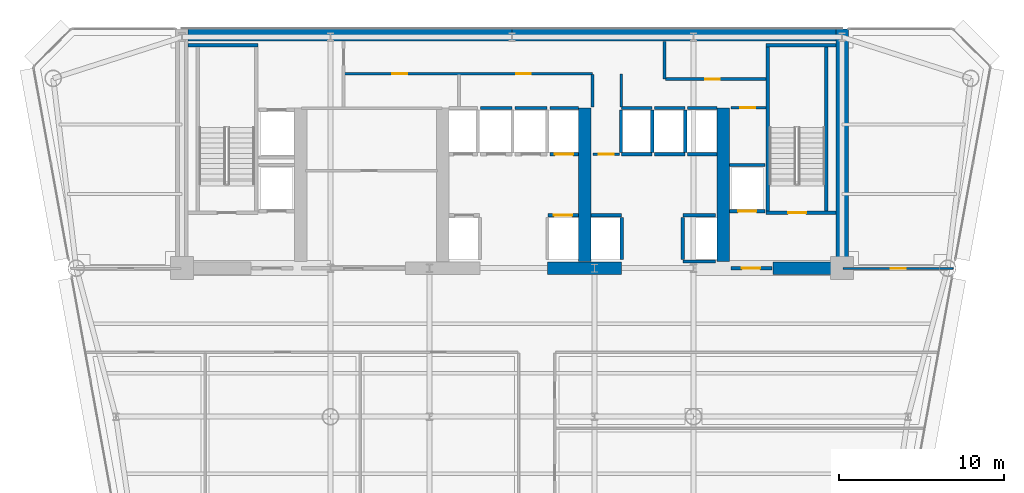
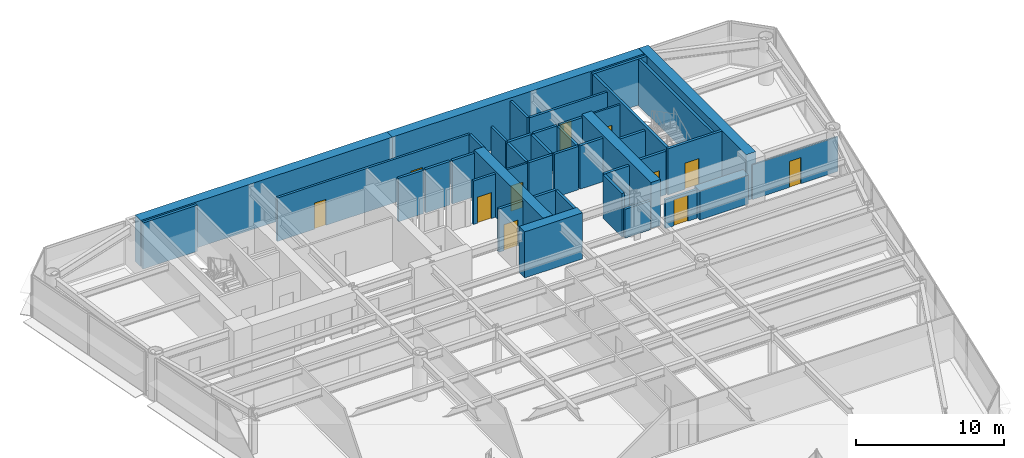
# One storey, part 9 of 14: 42 walls, 11 doors, 11 openings.
"""IFC4 building model written with IfcOpenShell, lengths in metres."""

from ifc_helpers import new_model, si_unit, direction, frame, frame_2d, origin, place, context, subcontext, project, spatial, rectangle, extrude, source, transform, mapped, material, layer, layer_set, type_object, element, fill, save


model = new_model("IFC4")

# Units and contexts
model_context = context("Model", 3, precision=1e-05, world=origin(), true_north=direction((0.0, 1.0)))
body_context = subcontext(model_context, "Body", "Model", "MODEL_VIEW")
ifc_project = project(units=[si_unit("LENGTHUNIT", "METRE"), si_unit("AREAUNIT", "SQUARE_METRE"), si_unit("VOLUMEUNIT", "CUBIC_METRE"), si_unit("PLANEANGLEUNIT", "RADIAN"), si_unit("MASSUNIT", "GRAM", prefix="KILO")], contexts=[model_context])

# Site, building, storey
site_placement = place(None, origin())
site = spatial("IfcSite", under=ifc_project, at=site_placement, CompositionType="ELEMENT")
building_placement = place(site_placement, origin())
building = spatial("IfcBuilding", under=site, at=building_placement, Name="Vaeldorn Concourse Tower", CompositionType="ELEMENT")
storey_placement = place(building_placement, frame((0.0, 0.0, 107.199951171875)))
storey = spatial("IfcBuildingStorey", under=building, at=storey_placement, Name="L27", CompositionType="ELEMENT", Elevation=107.199951171875)

# Walls
ifc_material_1 = material(Name="Concrete C60/75", Category="concrete")
ifc_layer_1 = layer(ifc_material_1, 0.75)
ifc_layer_set_1 = layer_set([ifc_layer_1], Name="Concrete C60/75")
wall_type_1 = type_object("IfcWallType", Name="WL-CORE-750", PredefinedType="SHEAR", material=ifc_layer_set_1)
for number, where, z_axis, x_axis, name in (
    (1, (14.37890625, 50.625, 0.0), (0.0, 0.0, 1.0), (1.0, 0.0, 0.0), "Rear Core Shear Wall L27 N1"),
    (2, (34.001953125, 50.625, 0.0), (0.0, 0.0, 1.0), (1.0, 0.0, 0.0), "Rear Core Shear Wall L27 N2"),
):
    element("IfcWall", number, at=place(storey_placement, frame(where, z_axis=z_axis, x_axis=x_axis)), inside=storey, type_object=wall_type_1, Name=name, PredefinedType="SHEAR", context=body_context, shape_type="SweptSolid", body=[
        extrude(rectangle(XDim=19.619140625, YDim=0.75, at=frame_2d((9.8095703125, 0.0))), origin(), (0.0, 0.0, 1.0), 3.800048828125),
    ])
wall_1_placement = place(storey_placement, frame((54.0, 36.5, 0.0), z_axis=(0.0, 0.0, 1.0), x_axis=(0.0, 1.0, 0.0)))
element("IfcWall", 3, at=wall_1_placement, inside=storey, type_object=wall_type_1, Name="Rear Core Shear Wall L27 E1", PredefinedType="SHEAR", context=body_context, shape_type="SweptSolid", body=[
    extrude(rectangle(XDim=14.5, YDim=0.75, at=frame_2d((7.25, 0.0))), origin(), (0.0, 0.0, 1.0), 3.800048828125),
])
wall_2_placement = place(storey_placement, frame((36.14990234375, 36.5, 0.0), z_axis=(0.0, 0.0, 1.0), x_axis=(1.0, 0.0, 0.0)))
element("IfcWall", 4, at=wall_2_placement, inside=storey, type_object=wall_type_1, Name="Rear Core Shear Wall L27 S3", PredefinedType="SHEAR", context=body_context, shape_type="SweptSolid", body=[
    extrude(rectangle(XDim=4.5, YDim=0.75, at=frame_2d((2.25, 0.0))), origin(), (0.0, 0.0, 1.0), 3.800048828125),
])
wall_3_placement = place(storey_placement, frame((49.800048828125, 36.5, 0.0), z_axis=(0.0, 0.0, 1.0), x_axis=(1.0, 0.0, 0.0)))
element("IfcWall", 5, at=wall_3_placement, inside=storey, type_object=wall_type_1, Name="Rear Core Shear Wall L27 S4", PredefinedType="SHEAR", context=body_context, shape_type="SweptSolid", body=[
    extrude(rectangle(XDim=3.804931640625, YDim=0.75, at=frame_2d((1.90234375, 0.0))), origin(), (0.0, 0.0, 1.0), 2.380126953125),
])
for number, where, z_axis, x_axis, name in (
    (6, (38.39990234375, 36.89501953125, 0.0), (0.0, 0.0, 1.0), (0.0, 1.0, 0.0), "Rear Core Shear Wall L27 M3"),
    (7, (46.800048828125, 36.89501953125, 0.0), (0.0, 0.0, 1.0), (0.0, 1.0, 0.0), "Rear Core Shear Wall L27 M4"),
):
    element("IfcWall", number, at=place(storey_placement, frame(where, z_axis=z_axis, x_axis=x_axis)), inside=storey, type_object=wall_type_1, Name=name, PredefinedType="SHEAR", context=body_context, shape_type="SweptSolid", body=[
        extrude(rectangle(XDim=9.304931640625, YDim=0.75, at=frame_2d((4.65234375, 0.0))), origin(), (0.0, 0.0, 1.0), 3.800048828125),
    ])

# Wall, opening, door
ifc_material_2 = material(Name="Gypsum Board Partition", Category="gypsum")
ifc_layer_2 = layer(ifc_material_2, 0.1201171875)
ifc_layer_set_2 = layer_set([ifc_layer_2], Name="Gypsum Board Partition")
wall_type_2 = type_object("IfcWallType", Name="WL-PART-120", PredefinedType="PARTITIONING", material=ifc_layer_set_2)
wall_4_placement = place(storey_placement, frame((54.06005859375, 36.47998046875, 0.0), z_axis=(0.0, 0.0, 1.0), x_axis=(1.0, 0.0, 0.0)))
wall_4 = element("IfcWall", 8, at=wall_4_placement, inside=storey, type_object=wall_type_2, Name="Interior Wall PW-L27-NES", PredefinedType="PARTITIONING", context=body_context, shape_type="SweptSolid", body=[
    extrude(rectangle(XDim=6.66748046875, YDim=0.1201171875, at=frame_2d((3.333740234375, 0.0))), origin(), (0.0, 0.0, 1.0), 2.8701171875),
])
opening_1_placement = place(wall_4_placement, frame((2.884033203125, 0.0, 0.0)))
opening_1 = element("IfcOpeningElement", 9, at=opening_1_placement, cuts=wall_4, Name="Opening D-03", PredefinedType="OPENING", context=body_context, shape_type="SweptSolid", body=[
    extrude(rectangle(XDim=0.89990234375, YDim=2.14990234375, at=frame_2d((0.449951171875, 1.074951171875))), frame((0.0, 0.070068359375, 0.0), z_axis=(0.0, -1.0, 0.0), x_axis=(1.0, 0.0, 0.0)), (0.0, 0.0, 1.0), 0.14013671875),
])
ifc_material_3 = material(Name="Acoustic Bronze-Framed Glass Door", Category="glass")
door_type_1 = type_object("IfcDoorType", Name="DR-INT-900", OperationType="NOTDEFINED", PredefinedType="DOOR", material=ifc_material_3)
shared_shape_1 = source(origin(), body_context, "Body", "SweptSolid", [
    extrude(rectangle(XDim=0.89990234375, YDim=2.14990234375, at=frame_2d((0.449951171875, 1.074951171875))), frame((0.0, 0.02490234375, 0.0), z_axis=(0.0, -1.0, 0.0), x_axis=(1.0, 0.0, 0.0)), (0.0, 0.0, 1.0), 0.050048828125),
])
door_1_placement = place(opening_1_placement, origin())
door_1 = element("IfcDoor", 10, at=door_1_placement, inside=storey, type_object=door_type_1, Name="Interior Door DR-L27-NEC", OperationType="SINGLE_SWING_RIGHT", OverallHeight=2.14990234375, OverallWidth=0.89990234375, PredefinedType="DOOR", context=body_context, shape_type="MappedRepresentation", body=[
    mapped(shared_shape_1, transform((0.0, 0.0, 0.0), scale=1.0)),
])
fill(opening_1, door_1)

ifc_layer_3 = layer(ifc_material_2, 0.14990234375)
ifc_layer_set_3 = layer_set([ifc_layer_3], Name="Gypsum Board Partition")
wall_type_3 = type_object("IfcWallType", Name="WL-PART-150", PredefinedType="PARTITIONING", material=ifc_layer_set_3)
wall_5_placement = place(storey_placement, frame((47.280029296875, 46.219970703125, 0.0), z_axis=(0.0, 0.0, 1.0), x_axis=(1.0, 0.0, 0.0)))
wall_5 = element("IfcWall", 11, at=wall_5_placement, inside=storey, type_object=wall_type_3, Name="Interior Wall CW-L27-CRSE-N", PredefinedType="PARTITIONING", context=body_context, shape_type="SweptSolid", body=[
    extrude(rectangle(XDim=2.099853515625, YDim=0.14990234375, at=frame_2d((1.0498046875, 0.0))), origin(), (0.0, 0.0, 1.0), 3.580078125),
])
opening_2_placement = place(wall_5_placement, frame((0.550048828125, 0.0, 0.0)))
opening_2 = element("IfcOpeningElement", 12, at=opening_2_placement, cuts=wall_5, Name="Opening D-02", PredefinedType="OPENING", context=body_context, shape_type="SweptSolid", body=[
    extrude(rectangle(XDim=0.89990234375, YDim=2.10009765625, at=frame_2d((0.449951171875, 1.050048828125))), frame((0.0, 0.0849609375, 0.0), z_axis=(0.0, -1.0, 0.0), x_axis=(1.0, 0.0, 0.0)), (0.0, 0.0, 1.0), 0.169921875),
])
ifc_material_4 = material(Name="Fire-Rated Timber Leaf", Category="wood")
door_type_2 = type_object("IfcDoorType", Name="DR-FD30-900", OperationType="NOTDEFINED", PredefinedType="DOOR", material=ifc_material_4)
shared_shape_2 = source(origin(), body_context, "Body", "SweptSolid", [
    extrude(rectangle(XDim=0.89990234375, YDim=2.10009765625, at=frame_2d((0.449951171875, 1.050048828125))), frame((0.0, 0.02490234375, 0.0), z_axis=(0.0, -1.0, 0.0), x_axis=(1.0, 0.0, 0.0)), (0.0, 0.0, 1.0), 0.050048828125),
])
door_2_placement = place(opening_2_placement, origin())
door_2 = element("IfcDoor", 13, at=door_2_placement, inside=storey, type_object=door_type_2, Name="Interior Door DR-L27-CRSE", OperationType="SINGLE_SWING_RIGHT", OverallHeight=2.10009765625, OverallWidth=0.89990234375, PredefinedType="DOOR", context=body_context, shape_type="MappedRepresentation", body=[
    mapped(shared_shape_2, transform((0.0, 0.0, 0.0), scale=1.0)),
])
fill(opening_2, door_2)

wall_6_placement = place(storey_placement, frame((38.919921875, 43.39990234375, 0.0), z_axis=(0.0, 0.0, 1.0), x_axis=(1.0, 0.0, 0.0)))
wall_6 = element("IfcWall", 14, at=wall_6_placement, inside=storey, type_object=wall_type_3, Name="Interior Wall CW-L27-CCLINK", PredefinedType="PARTITIONING", context=body_context, shape_type="SweptSolid", body=[
    extrude(rectangle(XDim=1.60009765625, YDim=0.14990234375, at=frame_2d((0.800048828125, 0.0))), origin(), (0.0, 0.0, 1.0), 3.580078125),
])
opening_3_placement = place(wall_6_placement, frame((0.35009765625, 0.0, 0.0)))
opening_3 = element("IfcOpeningElement", 15, at=opening_3_placement, cuts=wall_6, Name="Opening D-02", PredefinedType="OPENING", context=body_context, shape_type="SweptSolid", body=[
    extrude(rectangle(XDim=0.89990234375, YDim=2.10009765625, at=frame_2d((0.449951171875, 1.050048828125))), frame((0.0, 0.0849609375, 0.0), z_axis=(0.0, -1.0, 0.0), x_axis=(1.0, 0.0, 0.0)), (0.0, 0.0, 1.0), 0.169921875),
])
door_3_placement = place(opening_3_placement, origin())
door_3 = element("IfcDoor", 16, at=door_3_placement, inside=storey, type_object=door_type_2, Name="Interior Door DR-L27-CCLINK", OperationType="SINGLE_SWING_LEFT", OverallHeight=2.10009765625, OverallWidth=0.89990234375, PredefinedType="DOOR", context=body_context, shape_type="MappedRepresentation", body=[
    mapped(shared_shape_2, transform((0.0, 0.0, 0.0), scale=1.0)),
])
fill(opening_3, door_3)

# Wall, openings, doors
ifc_layer_4 = layer(ifc_material_2, 0.179931640625)
ifc_layer_set_4 = layer_set([ifc_layer_4], Name="Gypsum Board Partition")
wall_type_4 = type_object("IfcWallType", Name="WL-PLUMB-180", PredefinedType="PLUMBINGWALL", material=ifc_layer_set_4)
wall_7_placement = place(storey_placement, frame((23.85009765625, 48.280029296875, 0.0), z_axis=(0.0, 0.0, 1.0), x_axis=(1.0, 0.0, 0.0)))
wall_7 = element("IfcWall", 17, at=wall_7_placement, inside=storey, type_object=wall_type_4, Name="Interior Wall CW-L27-NS2W", PredefinedType="PLUMBINGWALL", context=body_context, shape_type="SweptSolid", body=[
    extrude(rectangle(XDim=15.02978515625, YDim=0.179931640625, at=frame_2d((7.514892578125, 0.0))), origin(), (0.0, 0.0, 1.0), 3.580078125),
])
opening_4_placement = place(wall_7_placement, frame((2.89990234375, 0.0, 0.0)))
opening_4 = element("IfcOpeningElement", 18, at=opening_4_placement, cuts=wall_7, Name="Opening D-03", PredefinedType="OPENING", context=body_context, shape_type="SweptSolid", body=[
    extrude(rectangle(XDim=0.89990234375, YDim=2.14990234375, at=frame_2d((0.449951171875, 1.074951171875))), frame((0.0, 0.10009765625, 0.0), z_axis=(0.0, -1.0, 0.0), x_axis=(1.0, 0.0, 0.0)), (0.0, 0.0, 1.0), 0.199951171875),
])
opening_5_placement = place(wall_7_placement, frame((10.39990234375, 0.0, 0.0)))
opening_5 = element("IfcOpeningElement", 19, at=opening_5_placement, cuts=wall_7, Name="Opening D-03", PredefinedType="OPENING", context=body_context, shape_type="SweptSolid", body=[
    extrude(rectangle(XDim=0.89990234375, YDim=2.14990234375, at=frame_2d((0.449951171875, 1.074951171875))), frame((0.0, 0.10009765625, 0.0), z_axis=(0.0, -1.0, 0.0), x_axis=(1.0, 0.0, 0.0)), (0.0, 0.0, 1.0), 0.199951171875),
])
door_4_placement = place(opening_4_placement, origin())
door_4 = element("IfcDoor", 20, at=door_4_placement, inside=storey, type_object=door_type_1, Name="Interior Door DR-L27-CS2", OperationType="SINGLE_SWING_RIGHT", OverallHeight=2.14990234375, OverallWidth=0.89990234375, PredefinedType="DOOR", context=body_context, shape_type="MappedRepresentation", body=[
    mapped(shared_shape_1, transform((0.0, 0.0, 0.0), scale=1.0)),
])
fill(opening_4, door_4)
door_5_placement = place(opening_5_placement, origin())
door_5 = element("IfcDoor", 21, at=door_5_placement, inside=storey, type_object=door_type_1, Name="Interior Door DR-L27-CS3", OperationType="SINGLE_SWING_LEFT", OverallHeight=2.14990234375, OverallWidth=0.89990234375, PredefinedType="DOOR", context=body_context, shape_type="MappedRepresentation", body=[
    mapped(shared_shape_1, transform((0.0, 0.0, 0.0), scale=1.0)),
])
fill(opening_5, door_5)

# Walls
wall_8_placement = place(storey_placement, frame((38.8798828125, 46.280029296875, 0.0), z_axis=(0.0, 0.0, 1.0), x_axis=(0.0, 1.0, 0.0)))
element("IfcWall", 22, at=wall_8_placement, inside=storey, type_object=wall_type_4, Name="Interior Wall CW-L27-SDIV4", PredefinedType="PLUMBINGWALL", context=body_context, shape_type="SweptSolid", body=[
    extrude(rectangle(XDim=1.93994140625, YDim=0.179931640625, at=frame_2d((0.969970703125, 0.0))), origin(), (0.0, 0.0, 1.0), 3.580078125),
])
wall_9_placement = place(storey_placement, frame((40.6201171875, 46.280029296875, 0.0), z_axis=(0.0, 0.0, 1.0), x_axis=(0.0, 1.0, 0.0)))
element("IfcWall", 23, at=wall_9_placement, inside=storey, type_object=wall_type_4, Name="Interior Wall CW-L27-SDIV5", PredefinedType="PLUMBINGWALL", context=body_context, shape_type="SweptSolid", body=[
    extrude(rectangle(XDim=2.0, YDim=0.179931640625, at=frame_2d((1.0, 0.0))), origin(), (0.0, 0.0, 1.0), 3.580078125),
])
wall_10_placement = place(storey_placement, frame((43.25, 47.949951171875, 0.0), z_axis=(0.0, 0.0, 1.0), x_axis=(0.0, 1.0, 0.0)))
element("IfcWall", 24, at=wall_10_placement, inside=storey, type_object=wall_type_4, Name="Interior Wall CW-L27-SDIV6", PredefinedType="PLUMBINGWALL", context=body_context, shape_type="SweptSolid", body=[
    extrude(rectangle(XDim=2.280029296875, YDim=0.179931640625, at=frame_2d((1.14013671875, 0.0))), origin(), (0.0, 0.0, 1.0), 3.580078125),
])

# Wall, opening, door
wall_11_placement = place(storey_placement, frame((43.300048828125, 47.949951171875, 0.0), z_axis=(0.0, 0.0, 1.0), x_axis=(1.0, 0.0, 0.0)))
wall_11 = element("IfcWall", 25, at=wall_11_placement, inside=storey, type_object=wall_type_4, Name="Interior Wall CW-L27-NS2EE", PredefinedType="PLUMBINGWALL", context=body_context, shape_type="SweptSolid", body=[
    extrude(rectangle(XDim=6.079833984375, YDim=0.179931640625, at=frame_2d((3.0400390625, 0.0))), origin(), (0.0, 0.0, 1.0), 3.580078125),
])
opening_6_placement = place(wall_11_placement, frame((2.39990234375, 0.0, 0.0)))
opening_6 = element("IfcOpeningElement", 26, at=opening_6_placement, cuts=wall_11, Name="Opening D-03", PredefinedType="OPENING", context=body_context, shape_type="SweptSolid", body=[
    extrude(rectangle(XDim=0.89990234375, YDim=2.14990234375, at=frame_2d((0.449951171875, 1.074951171875))), frame((0.0, 0.10009765625, 0.0), z_axis=(0.0, -1.0, 0.0), x_axis=(1.0, 0.0, 0.0)), (0.0, 0.0, 1.0), 0.199951171875),
])
door_6_placement = place(opening_6_placement, origin())
door_6 = element("IfcDoor", 27, at=door_6_placement, inside=storey, type_object=door_type_1, Name="Interior Door DR-L27-CS5", OperationType="SINGLE_SWING_RIGHT", OverallHeight=2.14990234375, OverallWidth=0.89990234375, PredefinedType="DOOR", context=body_context, shape_type="MappedRepresentation", body=[
    mapped(shared_shape_1, transform((0.0, 0.0, 0.0), scale=1.0)),
])
fill(opening_6, door_6)

# Wall
ifc_material_5 = material(Name="Concrete C50/60", Category="concrete")
ifc_layer_5 = layer(ifc_material_5, 0.199951171875)
ifc_layer_set_5 = layer_set([ifc_layer_5], Name="Concrete C50/60")
wall_type_5 = type_object("IfcWallType", Name="WL-SHAFT-200", PredefinedType="SOLIDWALL", material=ifc_layer_set_5)
wall_12_placement = place(storey_placement, frame((14.375, 50.0, 0.0), z_axis=(0.0, 0.0, 1.0), x_axis=(1.0, 0.0, 0.0)))
element("IfcWall", 28, at=wall_12_placement, inside=storey, type_object=wall_type_5, Name="Stair Shaft Wall CW-L27-ST-1-N", PredefinedType="SOLIDWALL", context=body_context, shape_type="SweptSolid", body=[
    extrude(rectangle(XDim=4.22509765625, YDim=0.199951171875, at=frame_2d((2.112548828125, 0.0))), origin(), (0.0, 0.0, 1.0), 3.800048828125),
])

# Wall, opening, door
wall_13_placement = place(storey_placement, frame((49.39990234375, 39.85009765625, 0.0), z_axis=(0.0, 0.0, 1.0), x_axis=(1.0, 0.0, 0.0)))
wall_13 = element("IfcWall", 29, at=wall_13_placement, inside=storey, type_object=wall_type_5, Name="Stair Shaft Wall CW-L27-ST-2-S", PredefinedType="SOLIDWALL", context=body_context, shape_type="SweptSolid", body=[
    extrude(rectangle(XDim=4.22509765625, YDim=0.199951171875, at=frame_2d((2.112548828125, 0.0))), origin(), (0.0, 0.0, 1.0), 3.800048828125),
])
opening_7_placement = place(wall_13_placement, frame((1.324951171875, 0.0, 0.0)))
opening_7 = element("IfcOpeningElement", 30, at=opening_7_placement, cuts=wall_13, Name="Opening D-01", PredefinedType="OPENING", context=body_context, shape_type="SweptSolid", body=[
    extrude(rectangle(XDim=1.10009765625, YDim=2.14990234375, at=frame_2d((0.550048828125, 1.074951171875))), frame((0.0, 0.10986328125, 0.0), z_axis=(0.0, -1.0, 0.0), x_axis=(1.0, 0.0, 0.0)), (0.0, 0.0, 1.0), 0.219970703125),
])
ifc_material_6 = material(Name="Fire-Rated Timber and Steel Leaf", Category="steel")
door_type_3 = type_object("IfcDoorType", Name="DR-FD60-1100", OperationType="NOTDEFINED", PredefinedType="DOOR", material=ifc_material_6)
shared_shape_3 = source(origin(), body_context, "Body", "SweptSolid", [
    extrude(rectangle(XDim=1.10009765625, YDim=2.14990234375, at=frame_2d((0.550048828125, 1.074951171875))), frame((0.0, 0.02490234375, 0.0), z_axis=(0.0, -1.0, 0.0), x_axis=(1.0, 0.0, 0.0)), (0.0, 0.0, 1.0), 0.050048828125),
])
door_7_placement = place(opening_7_placement, origin())
door_7 = element("IfcDoor", 31, at=door_7_placement, inside=storey, type_object=door_type_3, Name="Interior Door DR-L27-ST-2", OperationType="SINGLE_SWING_RIGHT", OverallHeight=2.14990234375, OverallWidth=1.10009765625, PredefinedType="DOOR", context=body_context, shape_type="MappedRepresentation", body=[
    mapped(shared_shape_3, transform((0.0, 0.0, 0.0), scale=1.0)),
])
fill(opening_7, door_7)

# Walls
wall_14_placement = place(storey_placement, frame((49.39990234375, 50.0, 0.0), z_axis=(0.0, 0.0, 1.0), x_axis=(1.0, 0.0, 0.0)))
element("IfcWall", 32, at=wall_14_placement, inside=storey, type_object=wall_type_5, Name="Stair Shaft Wall CW-L27-ST-2-N", PredefinedType="SOLIDWALL", context=body_context, shape_type="SweptSolid", body=[
    extrude(rectangle(XDim=4.22509765625, YDim=0.199951171875, at=frame_2d((2.112548828125, 0.0))), origin(), (0.0, 0.0, 1.0), 3.800048828125),
])
for number, where, z_axis, x_axis, name in (
    (33, (49.5, 39.9599609375, 0.0), (0.0, 0.0, 1.0), (0.0, 1.0, 0.0), "Stair Shaft Wall CW-L27-ST-2-W"),
    (34, (53.050048828125, 39.9599609375, 0.0), (0.0, 0.0, 1.0), (0.0, 1.0, 0.0), "Stair Shaft Wall CW-L27-ST-2-E"),
):
    element("IfcWall", number, at=place(storey_placement, frame(where, z_axis=z_axis, x_axis=x_axis)), inside=storey, type_object=wall_type_5, Name=name, PredefinedType="SOLIDWALL", context=body_context, shape_type="SweptSolid", body=[
        extrude(rectangle(XDim=9.929931640625, YDim=0.199951171875, at=frame_2d((4.96484375, 0.0))), origin(), (0.0, 0.0, 1.0), 3.800048828125),
    ])

# Wall, opening, door
wall_15_placement = place(storey_placement, frame((47.280029296875, 36.5, 0.0), z_axis=(0.0, 0.0, 1.0), x_axis=(1.0, 0.0, 0.0)))
wall_15 = element("IfcWall", 35, at=wall_15_placement, inside=storey, type_object=wall_type_5, Name="Interior Wall CW-L27-FF2S", PredefinedType="SOLIDWALL", context=body_context, shape_type="SweptSolid", body=[
    extrude(rectangle(XDim=2.469970703125, YDim=0.199951171875, at=frame_2d((1.23486328125, 0.0))), origin(), (0.0, 0.0, 1.0), 2.3701171875),
])
opening_8_placement = place(wall_15_placement, frame((0.64990234375, 0.0, 0.0)))
opening_8 = element("IfcOpeningElement", 36, at=opening_8_placement, cuts=wall_15, Name="Opening D-01", PredefinedType="OPENING", context=body_context, shape_type="SweptSolid", body=[
    extrude(rectangle(XDim=1.10009765625, YDim=2.14990234375, at=frame_2d((0.550048828125, 1.074951171875))), frame((0.0, 0.10986328125, 0.0), z_axis=(0.0, -1.0, 0.0), x_axis=(1.0, 0.0, 0.0)), (0.0, 0.0, 1.0), 0.219970703125),
])
door_8_placement = place(opening_8_placement, origin())
door_8 = element("IfcDoor", 37, at=door_8_placement, inside=storey, type_object=door_type_3, Name="Interior Door DR-L27-FF2W", OperationType="SINGLE_SWING_LEFT", OverallHeight=2.14990234375, OverallWidth=1.10009765625, PredefinedType="DOOR", context=body_context, shape_type="MappedRepresentation", body=[
    mapped(shared_shape_3, transform((0.0, 0.0, 0.0), scale=1.0)),
])
fill(opening_8, door_8)

wall_16_placement = place(storey_placement, frame((36.169921875, 39.699951171875, 0.0), z_axis=(0.0, 0.0, 1.0), x_axis=(1.0, 0.0, 0.0)))
wall_16 = element("IfcWall", 38, at=wall_16_placement, inside=storey, type_object=wall_type_5, Name="Interior Wall CW-L27-LF-LF-08", PredefinedType="SOLIDWALL", context=body_context, shape_type="SweptSolid", body=[
    extrude(rectangle(XDim=1.844970703125, YDim=0.199951171875, at=frame_2d((0.92236328125, 0.0))), origin(), (0.0, 0.0, 1.0), 3.580078125),
])
opening_9_placement = place(wall_16_placement, frame((0.3720703125, 0.0, 0.0)))
opening_9 = element("IfcOpeningElement", 39, at=opening_9_placement, cuts=wall_16, Name="Opening LD-1", PredefinedType="OPENING", context=body_context, shape_type="SweptSolid", body=[
    extrude(rectangle(XDim=1.10009765625, YDim=2.14990234375, at=frame_2d((0.550048828125, 1.074951171875))), frame((0.0, 0.10986328125, 0.0), z_axis=(0.0, -1.0, 0.0), x_axis=(1.0, 0.0, 0.0)), (0.0, 0.0, 1.0), 0.219970703125),
])
ifc_material_7 = material(Name="Anodised Bronze Aluminium", Category="aluminium")
door_type_4 = type_object("IfcDoorType", Name="DR-LIFT-SLIDE-1100", OperationType="DOUBLE_DOOR_SLIDING", PredefinedType="DOOR", material=ifc_material_7)
door_9_placement = place(opening_9_placement, origin())
door_9 = element("IfcDoor", 40, at=door_9_placement, inside=storey, type_object=door_type_4, Name="Lift Landing Door LD-L27-LF-08", OperationType="DOUBLE_DOOR_SLIDING", OverallHeight=2.14990234375, OverallWidth=1.10009765625, PredefinedType="DOOR", context=body_context, shape_type="MappedRepresentation", body=[
    mapped(shared_shape_3, transform((0.0, 0.0, 0.0), scale=1.0)),
])
fill(opening_9, door_9)

# Walls
wall_17_placement = place(storey_placement, frame((32.090087890625, 46.199951171875, 0.0), z_axis=(0.0, 0.0, 1.0), x_axis=(1.0, 0.0, 0.0)))
element("IfcWall", 41, at=wall_17_placement, inside=storey, type_object=wall_type_5, Name="Interior Wall CW-L27-LFB-LF-10", PredefinedType="SOLIDWALL", context=body_context, shape_type="SweptSolid", body=[
    extrude(rectangle(XDim=1.919921875, YDim=0.199951171875, at=frame_2d((0.9599609375, 0.0))), origin(), (0.0, 0.0, 1.0), 3.580078125),
])
wall_18_placement = place(storey_placement, frame((34.18994140625, 46.199951171875, 0.0), z_axis=(0.0, 0.0, 1.0), x_axis=(1.0, 0.0, 0.0)))
element("IfcWall", 42, at=wall_18_placement, inside=storey, type_object=wall_type_5, Name="Interior Wall CW-L27-LFB-LF-11", PredefinedType="SOLIDWALL", context=body_context, shape_type="SweptSolid", body=[
    extrude(rectangle(XDim=1.920166015625, YDim=0.199951171875, at=frame_2d((0.9599609375, 0.0))), origin(), (0.0, 0.0, 1.0), 3.580078125),
])

# Wall, opening, door
wall_19_placement = place(storey_placement, frame((36.2900390625, 43.39990234375, 0.0), z_axis=(0.0, 0.0, 1.0), x_axis=(1.0, 0.0, 0.0)))
wall_19 = element("IfcWall", 43, at=wall_19_placement, inside=storey, type_object=wall_type_5, Name="Interior Wall CW-L27-LF-LF-12", PredefinedType="SOLIDWALL", context=body_context, shape_type="SweptSolid", body=[
    extrude(rectangle(XDim=1.724853515625, YDim=0.199951171875, at=frame_2d((0.8623046875, 0.0))), origin(), (0.0, 0.0, 1.0), 3.580078125),
])
opening_10_placement = place(wall_19_placement, frame((0.31298828125, 0.0, 0.0)))
opening_10 = element("IfcOpeningElement", 44, at=opening_10_placement, cuts=wall_19, Name="Opening LD-1", PredefinedType="OPENING", context=body_context, shape_type="SweptSolid", body=[
    extrude(rectangle(XDim=1.10009765625, YDim=2.14990234375, at=frame_2d((0.550048828125, 1.074951171875))), frame((0.0, 0.10986328125, 0.0), z_axis=(0.0, -1.0, 0.0), x_axis=(1.0, 0.0, 0.0)), (0.0, 0.0, 1.0), 0.219970703125),
])
door_10_placement = place(opening_10_placement, origin())
door_10 = element("IfcDoor", 45, at=door_10_placement, inside=storey, type_object=door_type_4, Name="Lift Landing Door LD-L27-LF-12", OperationType="DOUBLE_DOOR_SLIDING", OverallHeight=2.14990234375, OverallWidth=1.10009765625, PredefinedType="DOOR", context=body_context, shape_type="MappedRepresentation", body=[
    mapped(shared_shape_3, transform((0.0, 0.0, 0.0), scale=1.0)),
])
fill(opening_10, door_10)

# Walls
wall_20_placement = place(storey_placement, frame((36.2900390625, 46.199951171875, 0.0), z_axis=(0.0, 0.0, 1.0), x_axis=(1.0, 0.0, 0.0)))
element("IfcWall", 46, at=wall_20_placement, inside=storey, type_object=wall_type_5, Name="Interior Wall CW-L27-LFB-LF-12", PredefinedType="SOLIDWALL", context=body_context, shape_type="SweptSolid", body=[
    extrude(rectangle(XDim=1.724853515625, YDim=0.199951171875, at=frame_2d((0.8623046875, 0.0))), origin(), (0.0, 0.0, 1.0), 3.580078125),
])
wall_21_placement = place(storey_placement, frame((38.784912109375, 39.699951171875, 0.0), z_axis=(0.0, 0.0, 1.0), x_axis=(1.0, 0.0, 0.0)))
element("IfcWall", 47, at=wall_21_placement, inside=storey, type_object=wall_type_5, Name="Interior Wall CW-L27-LF-LF-13", PredefinedType="SOLIDWALL", context=body_context, shape_type="SweptSolid", body=[
    extrude(rectangle(XDim=1.844970703125, YDim=0.199951171875, at=frame_2d((0.92236328125, 0.0))), origin(), (0.0, 0.0, 1.0), 3.580078125),
])
wall_22_placement = place(storey_placement, frame((40.64990234375, 37.02001953125, 0.0), z_axis=(0.0, 0.0, 1.0), x_axis=(0.0, 1.0, 0.0)))
element("IfcWall", 48, at=wall_22_placement, inside=storey, type_object=wall_type_5, Name="Interior Wall CW-L27-LFE-LF-13", PredefinedType="SOLIDWALL", context=body_context, shape_type="SweptSolid", body=[
    extrude(rectangle(XDim=2.56005859375, YDim=0.199951171875, at=frame_2d((1.280029296875, 0.0))), origin(), (0.0, 0.0, 1.0), 3.580078125),
])
wall_23_placement = place(storey_placement, frame((44.3701171875, 39.699951171875, 0.0), z_axis=(0.0, 0.0, 1.0), x_axis=(1.0, 0.0, 0.0)))
element("IfcWall", 49, at=wall_23_placement, inside=storey, type_object=wall_type_5, Name="Interior Wall CW-L27-LF-LF-14", PredefinedType="SOLIDWALL", context=body_context, shape_type="SweptSolid", body=[
    extrude(rectangle(XDim=1.9599609375, YDim=0.199951171875, at=frame_2d((0.97998046875, 0.0))), origin(), (0.0, 0.0, 1.0), 3.580078125),
])
wall_24_placement = place(storey_placement, frame((44.3701171875, 36.89990234375, 0.0), z_axis=(0.0, 0.0, 1.0), x_axis=(1.0, 0.0, 0.0)))
element("IfcWall", 50, at=wall_24_placement, inside=storey, type_object=wall_type_5, Name="Interior Wall CW-L27-LFB-LF-14", PredefinedType="SOLIDWALL", context=body_context, shape_type="SweptSolid", body=[
    extrude(rectangle(XDim=1.9599609375, YDim=0.199951171875, at=frame_2d((0.97998046875, 0.0))), origin(), (0.0, 0.0, 1.0), 2.3701171875),
])
wall_25_placement = place(storey_placement, frame((44.35009765625, 37.02001953125, 0.0), z_axis=(0.0, 0.0, 1.0), x_axis=(0.0, 1.0, 0.0)))
element("IfcWall", 51, at=wall_25_placement, inside=storey, type_object=wall_type_5, Name="Interior Wall CW-L27-LFW-LF-14", PredefinedType="SOLIDWALL", context=body_context, shape_type="SweptSolid", body=[
    extrude(rectangle(XDim=2.56005859375, YDim=0.199951171875, at=frame_2d((1.280029296875, 0.0))), origin(), (0.0, 0.0, 1.0), 3.580078125),
])
for number, where, z_axis, x_axis, name in (
    (52, (40.6201171875, 43.39990234375, 0.0), (0.0, 0.0, 1.0), (1.0, 0.0, 0.0), "Interior Wall CW-L27-LF-LF-15"),
    (53, (40.6201171875, 46.199951171875, 0.0), (0.0, 0.0, 1.0), (1.0, 0.0, 0.0), "Interior Wall CW-L27-LFB-LF-15"),
):
    element("IfcWall", number, at=place(storey_placement, frame(where, z_axis=z_axis, x_axis=x_axis)), inside=storey, type_object=wall_type_5, Name=name, PredefinedType="SOLIDWALL", context=body_context, shape_type="SweptSolid", body=[
        extrude(rectangle(XDim=1.85986328125, YDim=0.199951171875, at=frame_2d((0.929931640625, 0.0))), origin(), (0.0, 0.0, 1.0), 3.580078125),
    ])
for number, where, z_axis, x_axis, name in (
    (54, (40.60009765625, 43.52001953125, 0.0), (0.0, 0.0, 1.0), (0.0, 1.0, 0.0), "Interior Wall CW-L27-LFW-LF-15"),
    (55, (42.5, 43.52001953125, 0.0), (0.0, 0.0, 1.0), (0.0, 1.0, 0.0), "Interior Wall CW-L27-LFE-LF-15"),
):
    element("IfcWall", number, at=place(storey_placement, frame(where, z_axis=z_axis, x_axis=x_axis)), inside=storey, type_object=wall_type_5, Name=name, PredefinedType="SOLIDWALL", context=body_context, shape_type="SweptSolid", body=[
        extrude(rectangle(XDim=2.56005859375, YDim=0.199951171875, at=frame_2d((1.280029296875, 0.0))), origin(), (0.0, 0.0, 1.0), 3.580078125),
    ])
for number, where, z_axis, x_axis, name in (
    (56, (42.6201171875, 43.39990234375, 0.0), (0.0, 0.0, 1.0), (1.0, 0.0, 0.0), "Interior Wall CW-L27-LF-LF-16"),
    (57, (42.6201171875, 46.199951171875, 0.0), (0.0, 0.0, 1.0), (1.0, 0.0, 0.0), "Interior Wall CW-L27-LFB-LF-16"),
):
    element("IfcWall", number, at=place(storey_placement, frame(where, z_axis=z_axis, x_axis=x_axis)), inside=storey, type_object=wall_type_5, Name=name, PredefinedType="SOLIDWALL", context=body_context, shape_type="SweptSolid", body=[
        extrude(rectangle(XDim=1.85986328125, YDim=0.199951171875, at=frame_2d((0.929931640625, 0.0))), origin(), (0.0, 0.0, 1.0), 3.580078125),
    ])
wall_26_placement = place(storey_placement, frame((44.5, 43.52001953125, 0.0), z_axis=(0.0, 0.0, 1.0), x_axis=(0.0, 1.0, 0.0)))
element("IfcWall", 58, at=wall_26_placement, inside=storey, type_object=wall_type_5, Name="Interior Wall CW-L27-LFE-LF-16", PredefinedType="SOLIDWALL", context=body_context, shape_type="SweptSolid", body=[
    extrude(rectangle(XDim=2.56005859375, YDim=0.199951171875, at=frame_2d((1.280029296875, 0.0))), origin(), (0.0, 0.0, 1.0), 3.580078125),
])
for number, where, z_axis, x_axis, name in (
    (59, (44.6201171875, 43.39990234375, 0.0), (0.0, 0.0, 1.0), (1.0, 0.0, 0.0), "Interior Wall CW-L27-LF-LF-17"),
    (60, (44.6201171875, 46.199951171875, 0.0), (0.0, 0.0, 1.0), (1.0, 0.0, 0.0), "Interior Wall CW-L27-LFB-LF-17"),
):
    element("IfcWall", number, at=place(storey_placement, frame(where, z_axis=z_axis, x_axis=x_axis)), inside=storey, type_object=wall_type_5, Name=name, PredefinedType="SOLIDWALL", context=body_context, shape_type="SweptSolid", body=[
        extrude(rectangle(XDim=1.794921875, YDim=0.199951171875, at=frame_2d((0.8974609375, 0.0))), origin(), (0.0, 0.0, 1.0), 3.580078125),
    ])

# Wall, opening, door
wall_27_placement = place(storey_placement, frame((47.18505859375, 39.949951171875, 0.0), z_axis=(0.0, 0.0, 1.0), x_axis=(1.0, 0.0, 0.0)))
wall_27 = element("IfcWall", 61, at=wall_27_placement, inside=storey, type_object=wall_type_5, Name="Interior Wall CW-L27-LF-LF-FF2", PredefinedType="SOLIDWALL", context=body_context, shape_type="SweptSolid", body=[
    extrude(rectangle(XDim=2.14501953125, YDim=0.199951171875, at=frame_2d((1.072509765625, 0.0))), origin(), (0.0, 0.0, 1.0), 3.580078125),
])
opening_11_placement = place(wall_27_placement, frame((0.52197265625, 0.0, 0.0)))
opening_11 = element("IfcOpeningElement", 62, at=opening_11_placement, cuts=wall_27, Name="Opening LD-1", PredefinedType="OPENING", context=body_context, shape_type="SweptSolid", body=[
    extrude(rectangle(XDim=1.10009765625, YDim=2.14990234375, at=frame_2d((0.550048828125, 1.074951171875))), frame((0.0, 0.10986328125, 0.0), z_axis=(0.0, -1.0, 0.0), x_axis=(1.0, 0.0, 0.0)), (0.0, 0.0, 1.0), 0.219970703125),
])
door_11_placement = place(opening_11_placement, origin())
door_11 = element("IfcDoor", 63, at=door_11_placement, inside=storey, type_object=door_type_4, Name="Lift Landing Door LD-L27-LF-FF2", OperationType="DOUBLE_DOOR_SLIDING", OverallHeight=2.14990234375, OverallWidth=1.10009765625, PredefinedType="DOOR", context=body_context, shape_type="MappedRepresentation", body=[
    mapped(shared_shape_3, transform((0.0, 0.0, 0.0), scale=1.0)),
])
fill(opening_11, door_11)

# Wall
wall_28_placement = place(storey_placement, frame((47.18505859375, 42.75, 0.0), z_axis=(0.0, 0.0, 1.0), x_axis=(1.0, 0.0, 0.0)))
element("IfcWall", 64, at=wall_28_placement, inside=storey, type_object=wall_type_5, Name="Interior Wall CW-L27-LFB-LF-FF2", PredefinedType="SOLIDWALL", context=body_context, shape_type="SweptSolid", body=[
    extrude(rectangle(XDim=2.14501953125, YDim=0.199951171875, at=frame_2d((1.072509765625, 0.0))), origin(), (0.0, 0.0, 1.0), 3.580078125),
])

save(model, "model.ifc")
